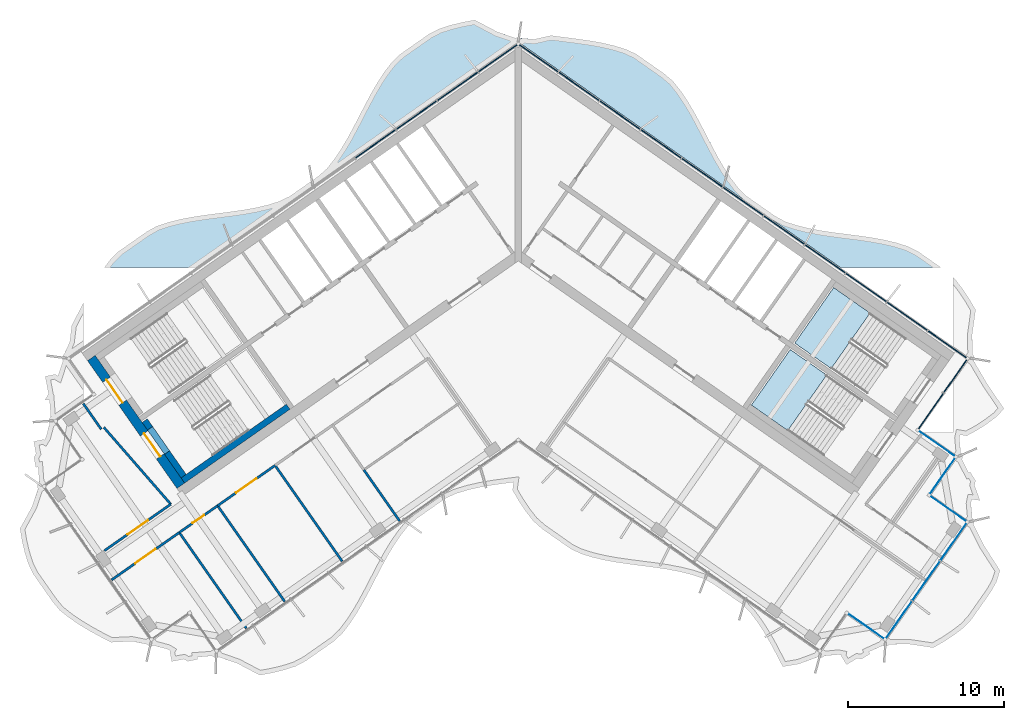
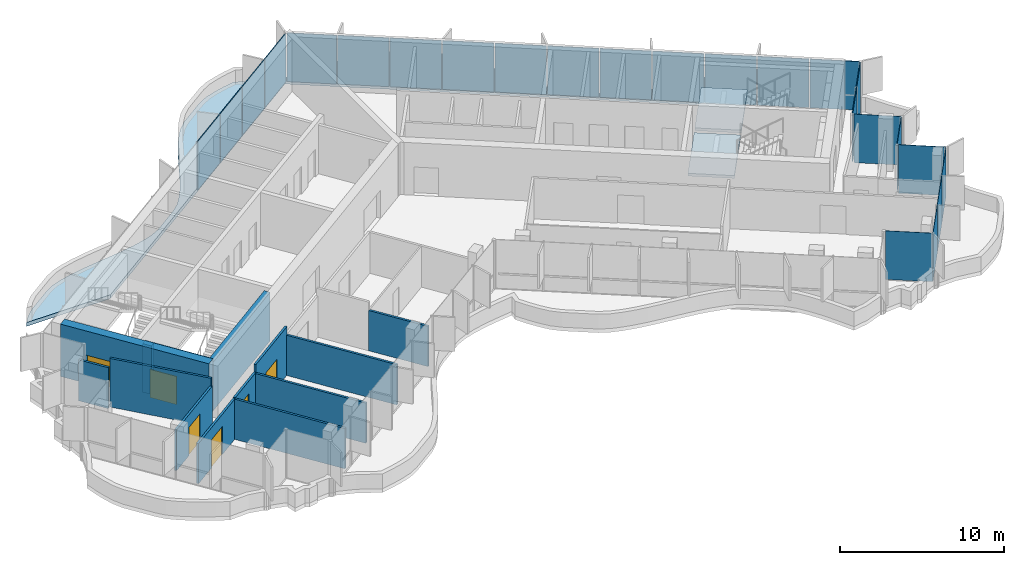
# One storey, part 8 of 18: 24 plates, 15 walls, 6 doors, 3 slabs, 6 openings, 4 elements without a shape of their own.
"""IFC4 building model written with IfcOpenShell, lengths in metres."""

from ifc_helpers import new_model, si_unit, direction, frame, frame_2d, origin, origin_2d, place, context, subcontext, project, spatial, polyline, rectangle, outline, extrude, material, layer, layer_set, type_object, element, fill, aggregate, save


model = new_model("IFC4")

# Units and contexts
model_context = context("Model", 3, precision=1e-05, world=origin(), true_north=direction((0.0, 1.0)))
body_context = subcontext(model_context, "Body", "Model", "MODEL_VIEW")
ifc_project = project(units=[si_unit("LENGTHUNIT", "METRE"), si_unit("AREAUNIT", "SQUARE_METRE"), si_unit("VOLUMEUNIT", "CUBIC_METRE"), si_unit("PLANEANGLEUNIT", "RADIAN"), si_unit("MASSUNIT", "GRAM", prefix="KILO")], contexts=[model_context])

# Site, building, storey
site_placement = place(None, origin())
site = spatial("IfcSite", under=ifc_project, at=site_placement, CompositionType="ELEMENT")
building_placement = place(site_placement, origin())
building = spatial("IfcBuilding", under=site, at=building_placement, Name="Tel Ilan Convention Tower", CompositionType="ELEMENT")
storey_placement = place(building_placement, frame((0.0, 0.0, 299.5)))
storey = spatial("IfcBuildingStorey", under=building, at=storey_placement, Name="L71", CompositionType="ELEMENT", Elevation=299.5)

# Curtain wall, plates
ifc_material_1 = material(Name="Aluminium, bronze anodised", Category="aluminium")
curtain_wall_type_1 = type_object("IfcCurtainWallType", Name="CW2 STICK CURTAIN WALL, SPANDREL PANELS", PredefinedType="NOTDEFINED", material=ifc_material_1)
curtain_wall_1_placement = place(storey_placement, origin())
curtain_wall_1 = element("IfcCurtainWall", 1, at=curtain_wall_1_placement, inside=storey, type_object=curtain_wall_type_1, Name="Curtain wall CW2-54.01", PredefinedType="NOTDEFINED")
ifc_material_2 = material(Name="Aluminium composite panel, bronze anodised", Category="aluminium")
ifc_layer_1 = layer(ifc_material_2, 0.06005859375)
ifc_layer_set_1 = layer_set([ifc_layer_1], Name="CW SPANDREL PANEL 60")
plate_type_1 = type_object("IfcPlateType", Name="CW SPANDREL PANEL 60", PredefinedType="CURTAIN_PANEL", material=ifc_layer_set_1)
plate_1_placement = place(storey_placement, frame((26.45947265625, -10.85400390625, 0.0), z_axis=(0.0, 0.0, 1.0), x_axis=(0.573576436351, 0.819152044289, 0.0)))
plate_1 = element("IfcPlate", 2, at=plate_1_placement, type_object=plate_type_1, Name="Spandrel panel", PredefinedType="CURTAIN_PANEL", context=body_context, shape_type="SweptSolid", body=[
    extrude(rectangle(XDim=2.76904296875, YDim=0.06005859375, at=origin_2d()), origin(), (0.0, 0.0, 1.0), 3.6201171875),
])
plate_2_placement = place(storey_placement, frame((28.042236328125, -8.593505859375, 0.0), z_axis=(0.0, 0.0, 1.0), x_axis=(0.573576436351, 0.819152044289, 0.0)))
plate_2 = element("IfcPlate", 3, at=plate_2_placement, type_object=plate_type_1, Name="Spandrel panel", PredefinedType="CURTAIN_PANEL", context=body_context, shape_type="SweptSolid", body=[
    extrude(rectangle(XDim=2.6298828125, YDim=0.06005859375, at=origin_2d()), origin(), (0.0, 0.0, 1.0), 3.6201171875),
])
plate_3_placement = place(storey_placement, frame((27.5400390625, -6.587646484375, 0.0), z_axis=(0.0, 0.0, 1.0), x_axis=(-0.819152044289, 0.573576436351, 0.0)))
plate_3 = element("IfcPlate", 4, at=plate_3_placement, type_object=plate_type_1, Name="Spandrel panel", PredefinedType="CURTAIN_PANEL", context=body_context, shape_type="SweptSolid", body=[
    extrude(rectangle(XDim=3.0439453125, YDim=0.06005859375, at=origin_2d()), origin(), (0.0, 0.0, 1.0), 3.6201171875),
])
plate_4_placement = place(storey_placement, frame((24.95263671875, -4.77587890625, 0.0), z_axis=(0.0, 0.0, 1.0), x_axis=(-0.819152044289, 0.573576436351, 0.0)))
plate_4 = element("IfcPlate", 5, at=plate_4_placement, type_object=plate_type_1, Name="Spandrel panel", PredefinedType="CURTAIN_PANEL", context=body_context, shape_type="SweptSolid", body=[
    extrude(rectangle(XDim=3.15380859375, YDim=0.06005859375, at=origin_2d()), origin(), (0.0, 0.0, 1.0), 3.6201171875),
])
plate_5_placement = place(storey_placement, frame((22.31982421875, -2.9326171875, 0.0), z_axis=(0.0, 0.0, 1.0), x_axis=(-0.819152044289, 0.573576436351, 0.0)))
plate_5 = element("IfcPlate", 6, at=plate_5_placement, type_object=plate_type_1, Name="Spandrel panel", PredefinedType="CURTAIN_PANEL", context=body_context, shape_type="SweptSolid", body=[
    extrude(rectangle(XDim=3.15380859375, YDim=0.06005859375, at=origin_2d()), origin(), (0.0, 0.0, 1.0), 3.6201171875),
])
plate_6_placement = place(storey_placement, frame((19.687255859375, -1.089111328125, 0.0), z_axis=(0.0, 0.0, 1.0), x_axis=(-0.819152044289, 0.573576436351, 0.0)))
plate_6 = element("IfcPlate", 7, at=plate_6_placement, type_object=plate_type_1, Name="Spandrel panel", PredefinedType="CURTAIN_PANEL", context=body_context, shape_type="SweptSolid", body=[
    extrude(rectangle(XDim=3.15380859375, YDim=0.06005859375, at=origin_2d()), origin(), (0.0, 0.0, 1.0), 3.6201171875),
])
plate_7_placement = place(storey_placement, frame((17.0546875, 0.754150390625, 0.0), z_axis=(0.0, 0.0, 1.0), x_axis=(-0.819152044289, 0.573576436351, 0.0)))
plate_7 = element("IfcPlate", 8, at=plate_7_placement, type_object=plate_type_1, Name="Spandrel panel", PredefinedType="CURTAIN_PANEL", context=body_context, shape_type="SweptSolid", body=[
    extrude(rectangle(XDim=3.15380859375, YDim=0.06005859375, at=origin_2d()), origin(), (0.0, 0.0, 1.0), 3.6201171875),
])
plate_8_placement = place(storey_placement, frame((14.422119140625, 2.59765625, 0.0), z_axis=(0.0, 0.0, 1.0), x_axis=(-0.819152044289, 0.573576436351, 0.0)))
plate_8 = element("IfcPlate", 9, at=plate_8_placement, type_object=plate_type_1, Name="Spandrel panel", PredefinedType="CURTAIN_PANEL", context=body_context, shape_type="SweptSolid", body=[
    extrude(rectangle(XDim=3.15380859375, YDim=0.06005859375, at=origin_2d()), origin(), (0.0, 0.0, 1.0), 3.6201171875),
])
plate_9_placement = place(storey_placement, frame((11.789306640625, 4.44091796875, 0.0), z_axis=(0.0, 0.0, 1.0), x_axis=(-0.819152044289, 0.573576436351, 0.0)))
plate_9 = element("IfcPlate", 10, at=plate_9_placement, type_object=plate_type_1, Name="Spandrel panel", PredefinedType="CURTAIN_PANEL", context=body_context, shape_type="SweptSolid", body=[
    extrude(rectangle(XDim=3.15380859375, YDim=0.06005859375, at=origin_2d()), origin(), (0.0, 0.0, 1.0), 3.6201171875),
])
plate_10_placement = place(storey_placement, frame((9.15673828125, 6.284423828125, 0.0), z_axis=(0.0, 0.0, 1.0), x_axis=(-0.819152044289, 0.573576436351, 0.0)))
plate_10 = element("IfcPlate", 11, at=plate_10_placement, type_object=plate_type_1, Name="Spandrel panel", PredefinedType="CURTAIN_PANEL", context=body_context, shape_type="SweptSolid", body=[
    extrude(rectangle(XDim=3.15380859375, YDim=0.06005859375, at=origin_2d()), origin(), (0.0, 0.0, 1.0), 3.6201171875),
])
plate_11_placement = place(storey_placement, frame((6.524169921875, 8.127685546875, 0.0), z_axis=(0.0, 0.0, 1.0), x_axis=(-0.819152044289, 0.573576436351, 0.0)))
plate_11 = element("IfcPlate", 12, at=plate_11_placement, type_object=plate_type_1, Name="Spandrel panel", PredefinedType="CURTAIN_PANEL", context=body_context, shape_type="SweptSolid", body=[
    extrude(rectangle(XDim=3.15380859375, YDim=0.06005859375, at=origin_2d()), origin(), (0.0, 0.0, 1.0), 3.6201171875),
])
plate_12_placement = place(storey_placement, frame((3.8916015625, 9.97119140625, 0.0), z_axis=(0.0, 0.0, 1.0), x_axis=(-0.819152044289, 0.573576436351, 0.0)))
plate_12 = element("IfcPlate", 13, at=plate_12_placement, type_object=plate_type_1, Name="Spandrel panel", PredefinedType="CURTAIN_PANEL", context=body_context, shape_type="SweptSolid", body=[
    extrude(rectangle(XDim=3.15380859375, YDim=0.06005859375, at=origin_2d()), origin(), (0.0, 0.0, 1.0), 3.6201171875),
])
plate_13_placement = place(storey_placement, frame((1.303955078125, 11.782958984375, 0.0), z_axis=(0.0, 0.0, 1.0), x_axis=(-0.819152044289, 0.573576436351, 0.0)))
plate_13 = element("IfcPlate", 14, at=plate_13_placement, type_object=plate_type_1, Name="Spandrel panel", PredefinedType="CURTAIN_PANEL", context=body_context, shape_type="SweptSolid", body=[
    extrude(rectangle(XDim=3.0439453125, YDim=0.06005859375, at=origin_2d()), origin(), (0.0, 0.0, 1.0), 3.6201171875),
])
plate_14_placement = place(storey_placement, frame((-1.303955078125, 11.782958984375, 0.0), z_axis=(0.0, 0.0, 1.0), x_axis=(-0.819152044289, -0.573576436351, 0.0)))
plate_14 = element("IfcPlate", 15, at=plate_14_placement, type_object=plate_type_1, Name="Spandrel panel", PredefinedType="CURTAIN_PANEL", context=body_context, shape_type="SweptSolid", body=[
    extrude(rectangle(XDim=3.0439453125, YDim=0.06005859375, at=origin_2d()), origin(), (0.0, 0.0, 1.0), 3.6201171875),
])
plate_15_placement = place(storey_placement, frame((-3.8916015625, 9.97119140625, 0.0), z_axis=(0.0, 0.0, 1.0), x_axis=(-0.819152044289, -0.573576436351, 0.0)))
plate_15 = element("IfcPlate", 16, at=plate_15_placement, type_object=plate_type_1, Name="Spandrel panel", PredefinedType="CURTAIN_PANEL", context=body_context, shape_type="SweptSolid", body=[
    extrude(rectangle(XDim=3.15380859375, YDim=0.06005859375, at=origin_2d()), origin(), (0.0, 0.0, 1.0), 3.6201171875),
])
plate_16_placement = place(storey_placement, frame((-6.524169921875, 8.127685546875, 0.0), z_axis=(0.0, 0.0, 1.0), x_axis=(-0.819152044289, -0.573576436351, 0.0)))
plate_16 = element("IfcPlate", 17, at=plate_16_placement, type_object=plate_type_1, Name="Spandrel panel", PredefinedType="CURTAIN_PANEL", context=body_context, shape_type="SweptSolid", body=[
    extrude(rectangle(XDim=3.15380859375, YDim=0.06005859375, at=origin_2d()), origin(), (0.0, 0.0, 1.0), 3.6201171875),
])
plate_17_placement = place(storey_placement, frame((-9.15673828125, 6.284423828125, 0.0), z_axis=(0.0, 0.0, 1.0), x_axis=(-0.819152044289, -0.573576436351, 0.0)))
plate_17 = element("IfcPlate", 18, at=plate_17_placement, type_object=plate_type_1, Name="Spandrel panel", PredefinedType="CURTAIN_PANEL", context=body_context, shape_type="SweptSolid", body=[
    extrude(rectangle(XDim=3.15380859375, YDim=0.06005859375, at=origin_2d()), origin(), (0.0, 0.0, 1.0), 3.6201171875),
])
aggregate(curtain_wall_1, [plate_1, plate_2, plate_3, plate_4, plate_5, plate_6, plate_7, plate_8, plate_9, plate_10, plate_11, plate_12, plate_13, plate_14, plate_15, plate_16, plate_17])

ifc_material_3 = material(Name="Aluminium, bronze anodised", Category="aluminium")
curtain_wall_type_2 = type_object("IfcCurtainWallType", Name="CW5 STICK CURTAIN WALL, UPPER OFFICE LOW-IRON TINTED GLASS", PredefinedType="NOTDEFINED", material=ifc_material_3)
curtain_wall_2_placement = place(storey_placement, origin())
curtain_wall_2 = element("IfcCurtainWall", 19, at=curtain_wall_2_placement, inside=storey, type_object=curtain_wall_type_2, Name="Curtain wall CW5-54.02", PredefinedType="NOTDEFINED")
ifc_material_4 = material(Name="Glass, low-iron bronze tinted, two-ply", Category="glass")
ifc_layer_2 = layer(ifc_material_4, 0.031982421875)
ifc_layer_set_2 = layer_set([ifc_layer_2], Name="CW UPPER GLASS PANEL 32")
plate_type_2 = type_object("IfcPlateType", Name="CW UPPER GLASS PANEL 32", PredefinedType="CURTAIN_PANEL", material=ifc_layer_set_2)
plate_18_placement = place(storey_placement, frame((22.32763671875, -24.667724609375, 0.0), z_axis=(0.0, 0.0, 1.0), x_axis=(0.819152044289, -0.573576436351, 0.0)))
plate_18 = element("IfcPlate", 20, at=plate_18_placement, type_object=plate_type_2, Name="Glass panel", PredefinedType="CURTAIN_PANEL", context=body_context, shape_type="SweptSolid", body=[
    extrude(rectangle(XDim=2.875, YDim=0.028076171875, at=origin_2d()), origin(), (0.0, 0.0, 1.0), 3.6201171875),
])
plate_19_placement = place(storey_placement, frame((24.39306640625, -24.26611328125, 0.0), z_axis=(0.0, 0.0, 1.0), x_axis=(0.573576436351, 0.819152044289, 0.0)))
plate_19 = element("IfcPlate", 21, at=plate_19_placement, type_object=plate_type_2, Name="Glass panel", PredefinedType="CURTAIN_PANEL", context=body_context, shape_type="SweptSolid", body=[
    extrude(rectangle(XDim=2.979248046875, YDim=0.028076171875, at=origin_2d()), origin(), (0.0, 0.0, 1.0), 3.6201171875),
])
plate_20_placement = place(storey_placement, frame((26.163330078125, -21.73779296875, 0.0), z_axis=(0.0, 0.0, 1.0), x_axis=(0.573576436351, 0.819152044289, 0.0)))
plate_20 = element("IfcPlate", 22, at=plate_20_placement, type_object=plate_type_2, Name="Glass panel", PredefinedType="CURTAIN_PANEL", context=body_context, shape_type="SweptSolid", body=[
    extrude(rectangle(XDim=3.0732421875, YDim=0.028076171875, at=origin_2d()), origin(), (0.0, 0.0, 1.0), 3.6201171875),
])
plate_21_placement = place(storey_placement, frame((27.93359375, -19.209716796875, 0.0), z_axis=(0.0, 0.0, 1.0), x_axis=(0.573576436351, 0.819152044289, 0.0)))
plate_21 = element("IfcPlate", 23, at=plate_21_placement, type_object=plate_type_2, Name="Glass panel", PredefinedType="CURTAIN_PANEL", context=body_context, shape_type="SweptSolid", body=[
    extrude(rectangle(XDim=2.979248046875, YDim=0.028076171875, at=origin_2d()), origin(), (0.0, 0.0, 1.0), 3.6201171875),
])
plate_22_placement = place(storey_placement, frame((27.6044921875, -17.131591796875, 0.0), z_axis=(0.0, 0.0, 1.0), x_axis=(-0.819152044289, 0.573576436351, 0.0)))
plate_22 = element("IfcPlate", 24, at=plate_22_placement, type_object=plate_type_2, Name="Glass panel", PredefinedType="CURTAIN_PANEL", context=body_context, shape_type="SweptSolid", body=[
    extrude(rectangle(XDim=2.875, YDim=0.028076171875, at=origin_2d()), origin(), (0.0, 0.0, 1.0), 3.6201171875),
])
plate_23_placement = place(storey_placement, frame((27.2265625, -14.98876953125, 0.0), z_axis=(0.0, 0.0, 1.0), x_axis=(0.573576436351, 0.819152044289, 0.0)))
plate_23 = element("IfcPlate", 25, at=plate_23_placement, type_object=plate_type_2, Name="Glass panel", PredefinedType="CURTAIN_PANEL", context=body_context, shape_type="SweptSolid", body=[
    extrude(rectangle(XDim=2.875, YDim=0.028076171875, at=origin_2d()), origin(), (0.0, 0.0, 1.0), 3.6201171875),
])
plate_24_placement = place(storey_placement, frame((26.86767578125, -12.953369140625, 0.0), z_axis=(0.0, 0.0, 1.0), x_axis=(-0.819152044289, 0.573576436351, 0.0)))
plate_24 = element("IfcPlate", 26, at=plate_24_placement, type_object=plate_type_2, Name="Glass panel", PredefinedType="CURTAIN_PANEL", context=body_context, shape_type="SweptSolid", body=[
    extrude(rectangle(XDim=2.875, YDim=0.028076171875, at=origin_2d()), origin(), (0.0, 0.0, 1.0), 3.6201171875),
])
aggregate(curtain_wall_2, [plate_18, plate_19, plate_20, plate_21, plate_22, plate_23, plate_24])

# Stair, slab
ifc_material_5 = material(Name="Concrete C40/50", Category="concrete")
stair_type = type_object("IfcStairType", Name="Pressurised Exit Stair 22 risers 177 mm", PredefinedType="HALF_TURN_STAIR", material=ifc_material_5)
stair_1_placement = place(storey_placement, origin())
stair_1 = element("IfcStair", 27, at=stair_1_placement, inside=storey, type_object=stair_type, Name="L71 Pressurised Stair S3", PredefinedType="HALF_TURN_STAIR")
ifc_material_6 = material(Name="Concrete C40/50", Category="concrete")
ifc_layer_3 = layer(ifc_material_6, 0.199951171875)
ifc_layer_set_3 = layer_set([ifc_layer_3], Name="Concrete Stair Landing 200 mm C40/50")
slab_type_1 = type_object("IfcSlabType", Name="Concrete Stair Landing 200 mm", PredefinedType="LANDING", material=ifc_layer_set_3)
slab_1_placement = place(storey_placement, frame((0.0, 0.0, 1.75)))
slab_1 = element("IfcSlab", 28, at=slab_1_placement, type_object=slab_type_1, Name="S3 landing 1", PredefinedType="LANDING", context=body_context, shape_type="SweptSolid", body=[
    extrude(outline(polyline([(22.561767578125, -4.566650390625), (20.226318359375, -2.931640625), (17.7314453125, -6.494873046875), (20.066650390625, -8.130126953125), (22.561767578125, -4.566650390625)])), origin(), (0.0, 0.0, 1.0), 0.199951171875),
])
aggregate(stair_1, [slab_1])

stair_2_placement = place(storey_placement, origin())
stair_2 = element("IfcStair", 29, at=stair_2_placement, inside=storey, type_object=stair_type, Name="L71 Pressurised Stair S4", PredefinedType="HALF_TURN_STAIR")
slab_2_placement = place(storey_placement, frame((0.0, 0.0, 1.75)))
slab_2 = element("IfcSlab", 30, at=slab_2_placement, type_object=slab_type_1, Name="S4 landing 1", PredefinedType="LANDING", context=body_context, shape_type="SweptSolid", body=[
    extrude(outline(polyline([(19.77978515625, -8.53955078125), (17.444580078125, -6.904541015625), (14.949462890625, -10.4677734375), (17.28466796875, -12.10302734375), (19.77978515625, -8.53955078125)])), origin(), (0.0, 0.0, 1.0), 0.199951171875),
])
aggregate(stair_2, [slab_2])

# Slab
ifc_material_7 = material(Name="Concrete C40/50", Category="concrete")
ifc_layer_4 = layer(ifc_material_7, 0.280029296875)
ifc_layer_set_4 = layer_set([ifc_layer_4], Name="Edge Ledge Slab 280 mm C40/50")
slab_type_2 = type_object("IfcSlabType", Name="Edge Ledge Slab 280 mm C40/50", PredefinedType="FLOOR", material=ifc_layer_set_4)
slab_3_placement = place(storey_placement, frame((0.0, 0.0, -0.280029296875)))
element("IfcSlab", 31, at=slab_3_placement, inside=storey, type_object=slab_type_2, Name="L71 edge ledge 2", PredefinedType="FLOOR", context=body_context, shape_type="SweptSolid", body=[
    extrude(outline(polyline([(-23.1982421875, 1.006591796875), (-22.4697265625, 1.250244140625), (-21.705322265625, 1.44287109375), (-20.91259765625, 1.594482421875), (-20.099365234375, 1.71728515625), (-19.275146484375, 1.824462890625), (-18.44970703125, 1.9296875), (-17.6328125, 2.047119140625), (-16.833984375, 2.18994140625), (-16.0615234375, 2.37109375), (-15.3232421875, 2.6005859375), (-14.651611328125, 2.92529296875), (-12.841552734375, 4.192626953125), (-12.284912109375, 4.681640625), (-11.809326171875, 5.28662109375), (-11.369140625, 5.94189453125), (-10.956787109375, 6.63720703125), (-10.564453125, 7.36083984375), (-10.182373046875, 8.09912109375), (-9.80078125, 8.83837890625), (-9.410400390625, 9.564697265625), (-9.001220703125, 10.264404296875), (-8.56494140625, 10.925537109375), (-8.094482421875, 11.53759765625), (-7.552001953125, 12.047119140625), (-5.7421875, 13.314208984375), (-5.0849609375, 13.66015625), (-4.3515625, 13.896484375), (-3.5830078125, 14.083251953125), (-2.785888671875, 14.228515625), (-1.357666015625, 13.472900390625), (-0.172119140625, 13.06396484375), (-0.168701171875, 13.05908203125), (-0.11474609375, 13.09521484375), (0.0, 13.1181640625), (0.11474609375, 13.09521484375), (0.168701171875, 13.05908203125), (0.172119140625, 13.06396484375), (1.02001953125, 12.99072265625), (2.08935546875, 13.234130859375), (2.913818359375, 13.12744140625), (3.739501953125, 13.0224609375), (4.55712890625, 12.90625), (5.357666015625, 12.765380859375), (6.132080078125, 12.587158203125), (6.872802734375, 12.361083984375), (7.552001953125, 12.047119140625), (9.36181640625, 10.77978515625), (9.925537109375, 10.300537109375), (10.403564453125, 9.69921875), (10.845947265625, 9.046875), (11.259521484375, 8.353515625), (11.653076171875, 7.631591796875), (12.035400390625, 6.893798828125), (12.416748046875, 6.154052734375), (12.806396484375, 5.426513671875), (13.214111328125, 4.724609375), (13.648193359375, 4.060791015625), (14.116455078125, 3.4453125), (14.651611328125, 2.92529296875), (16.46142578125, 1.657958984375), (17.111328125, 1.30224609375), (17.84228515625, 1.062255859375), (18.60888671875, 0.87255859375), (19.4033203125, 0.72314453125), (20.21728515625, 0.601806640625), (21.0419921875, 0.495361328125), (21.8671875, 0.3896484375), (22.68310546875, 0.27099609375), (23.480712890625, 0.1259765625), (24.2509765625, -0.057861328125), (24.987060546875, -0.290771484375), (25.6513671875, -0.626220703125), (27.087158203125, -1.631591796875), (20.63623046875, -1.631591796875), (0.0, 12.818115234375), (-20.63623046875, -1.631591796875), (-26.535888671875, -1.631591796875), (-26.1787109375, -1.156982421875), (-25.6513671875, -0.626220703125), (-23.84130859375, 0.64111328125), (-23.1982421875, 1.006591796875)])), origin(), (0.0, 0.0, 1.0), 0.280029296875),
])

# Wall, openings, doors
ifc_material_8 = material(Name="Concrete C40/50", Category="concrete")
ifc_layer_5 = layer(ifc_material_8, 0.60009765625)
ifc_layer_set_5 = layer_set([ifc_layer_5], Name="Core Shear Wall 600 mm C40/50")
wall_type_1 = type_object("IfcWallType", Name="Core Shear Wall 600 mm C40/50", PredefinedType="SHEAR", material=ifc_layer_set_5)
wall_1_placement = place(storey_placement, frame((-21.641845703125, -15.64208984375, 0.0), z_axis=(0.0, 0.0, 1.0), x_axis=(-0.573586866468, 0.819144740944, 0.0)))
wall_1 = element("IfcWall", 32, at=wall_1_placement, inside=storey, type_object=wall_type_1, Name="L71 core wall W-end", PredefinedType="SHEAR", context=body_context, shape_type="SweptSolid", body=[
    extrude(outline(polyline([(0.0, 0.300048828125), (0.0, -0.2998046875), (10.0, -0.300048828125), (10.0, 0.300048828125), (0.0, 0.300048828125)])), origin(), (0.0, 0.0, 1.0), 3.89990234375),
])
opening_1_placement = place(wall_1_placement, frame((6.5, 0.0, 0.0)))
opening_1 = element("IfcOpeningElement", 33, at=opening_1_placement, cuts=wall_1, Name="Opening SD5401", PredefinedType="OPENING", context=body_context, shape_type="SweptSolid", body=[
    extrude(rectangle(XDim=1.800048828125, YDim=2.10009765625, at=frame_2d((0.89990234375, 1.050048828125))), frame((0.0, 0.31005859375, 0.0), z_axis=(0.0, -1.0, 0.0), x_axis=(1.0, 0.0, 0.0)), (0.0, 0.0, 1.0), 0.6201171875),
])
opening_2_placement = place(wall_1_placement, frame((2.300048828125, 0.0, 0.0)))
opening_2 = element("IfcOpeningElement", 34, at=opening_2_placement, cuts=wall_1, Name="Opening SD5402", PredefinedType="OPENING", context=body_context, shape_type="SweptSolid", body=[
    extrude(rectangle(XDim=1.800048828125, YDim=2.10009765625, at=frame_2d((0.89990234375, 1.050048828125))), frame((0.0, 0.31005859375, 0.0), z_axis=(0.0, -1.0, 0.0), x_axis=(1.0, 0.0, 0.0)), (0.0, 0.0, 1.0), 0.6201171875),
])
ifc_material_9 = material(Name="Galvanised Steel Door Leaf", Category="steel")
door_type_1 = type_object("IfcDoorType", Name="Stair Fire Door 1800 x 2100 FD60S", OperationType="NOTDEFINED", PredefinedType="DOOR", material=ifc_material_9)
door_1_placement = place(opening_1_placement, origin())
door_1 = element("IfcDoor", 35, at=door_1_placement, inside=storey, type_object=door_type_1, Name="Stair S1 door", OperationType="DOUBLE_DOOR_SINGLE_SWING", OverallHeight=2.10009765625, OverallWidth=1.800048828125, PredefinedType="DOOR", context=body_context, shape_type="SweptSolid", body=[
    extrude(rectangle(XDim=1.800048828125, YDim=2.10009765625, at=frame_2d((0.89990234375, 1.050048828125))), frame((0.0, 0.02490234375, 0.0), z_axis=(0.0, -1.0, 0.0), x_axis=(1.0, 0.0, 0.0)), (0.0, 0.0, 1.0), 0.050048828125),
])
fill(opening_1, door_1)
door_2_placement = place(opening_2_placement, origin())
door_2 = element("IfcDoor", 36, at=door_2_placement, inside=storey, type_object=door_type_1, Name="Stair S2 door", OperationType="DOUBLE_DOOR_SINGLE_SWING", OverallHeight=2.10009765625, OverallWidth=1.800048828125, PredefinedType="DOOR", context=body_context, shape_type="SweptSolid", body=[
    extrude(rectangle(XDim=1.800048828125, YDim=2.10009765625, at=frame_2d((0.89990234375, 1.050048828125))), frame((0.0, 0.02490234375, 0.0), z_axis=(0.0, -1.0, 0.0), x_axis=(1.0, 0.0, 0.0)), (0.0, 0.0, 1.0), 0.050048828125),
])
fill(opening_2, door_2)

# Wall, opening, door
ifc_material_10 = material(Name="Plasterboard on Steel Studs", Category="steel")
ifc_layer_6 = layer(ifc_material_10, 0.14990234375)
ifc_layer_set_6 = layer_set([ifc_layer_6], Name="Fire-rated Partition 150 EI 60")
wall_type_2 = type_object("IfcWallType", Name="Fire-rated Partition 150 EI 60", PredefinedType="PARTITIONING", material=ifc_layer_set_6)
wall_2_placement = place(storey_placement, frame((-26.540283203125, -19.804443359375, 0.0), z_axis=(0.0, 0.0, 1.0), x_axis=(0.819163496387, 0.573560080713, 0.0)))
wall_2 = element("IfcWall", 37, at=wall_2_placement, inside=storey, type_object=wall_type_2, Name="Partition 005", PredefinedType="PARTITIONING", context=body_context, shape_type="SweptSolid", body=[
    extrude(rectangle(XDim=5.19677734375, YDim=0.14990234375, at=frame_2d((2.598388671875, 0.0))), origin(), (0.0, 0.0, 1.0), 3.050048828125),
])
opening_3_placement = place(wall_2_placement, frame((1.798583984375, 0.0, 0.0)))
opening_3 = element("IfcOpeningElement", 38, at=opening_3_placement, cuts=wall_2, Name="Opening L71-007", PredefinedType="OPENING", context=body_context, shape_type="SweptSolid", body=[
    extrude(rectangle(XDim=1.60009765625, YDim=2.10009765625, at=frame_2d((0.800048828125, 1.050048828125))), frame((0.0, 0.0849609375, 0.0), z_axis=(0.0, -1.0, 0.0), x_axis=(1.0, 0.0, 0.0)), (0.0, 0.0, 1.0), 0.169921875),
])
ifc_material_11 = material(Name="Timber Door Leaf in Steel Frame", Category="steel")
door_type_2 = type_object("IfcDoorType", Name="Tenant Suite Entrance Fire Door 1600x2100", OperationType="NOTDEFINED", PredefinedType="DOOR", material=ifc_material_11)
door_3_placement = place(opening_3_placement, origin())
door_3 = element("IfcDoor", 39, at=door_3_placement, inside=storey, type_object=door_type_2, Name="Door L71-007", OperationType="DOUBLE_DOOR_SINGLE_SWING", OverallHeight=2.10009765625, OverallWidth=1.60009765625, PredefinedType="DOOR", context=body_context, shape_type="SweptSolid", body=[
    extrude(rectangle(XDim=1.60009765625, YDim=2.10009765625, at=frame_2d((0.800048828125, 1.050048828125))), frame((0.0, 0.02490234375, 0.0), z_axis=(0.0, -1.0, 0.0), x_axis=(1.0, 0.0, 0.0)), (0.0, 0.0, 1.0), 0.050048828125),
])
fill(opening_3, door_3)

wall_3_placement = place(storey_placement, frame((-15.594482421875, -14.337646484375, 0.0), z_axis=(0.0, 0.0, 1.0), x_axis=(-0.819165703328, -0.573556928727, 0.0)))
wall_3 = element("IfcWall", 40, at=wall_3_placement, inside=storey, type_object=wall_type_2, Name="Partition 008", PredefinedType="PARTITIONING", context=body_context, shape_type="SweptSolid", body=[
    extrude(rectangle(XDim=4.50390625, YDim=0.14990234375, at=frame_2d((2.251953125, 0.0))), origin(), (0.0, 0.0, 1.0), 3.6201171875),
])
opening_4_placement = place(wall_3_placement, frame((1.451904296875, 0.0, 0.0)))
opening_4 = element("IfcOpeningElement", 41, at=opening_4_placement, cuts=wall_3, Name="Opening L71-004", PredefinedType="OPENING", context=body_context, shape_type="SweptSolid", body=[
    extrude(rectangle(XDim=1.60009765625, YDim=2.10009765625, at=frame_2d((0.800048828125, 1.050048828125))), frame((0.0, 0.0849609375, 0.0), z_axis=(0.0, -1.0, 0.0), x_axis=(1.0, 0.0, 0.0)), (0.0, 0.0, 1.0), 0.169921875),
])
door_4_placement = place(opening_4_placement, origin())
door_4 = element("IfcDoor", 42, at=door_4_placement, inside=storey, type_object=door_type_2, Name="Door L71-004", OperationType="DOUBLE_DOOR_SINGLE_SWING", OverallHeight=2.10009765625, OverallWidth=1.60009765625, PredefinedType="DOOR", context=body_context, shape_type="SweptSolid", body=[
    extrude(rectangle(XDim=1.60009765625, YDim=2.10009765625, at=frame_2d((0.800048828125, 1.050048828125))), frame((0.0, 0.02490234375, 0.0), z_axis=(0.0, -1.0, 0.0), x_axis=(1.0, 0.0, 0.0)), (0.0, 0.0, 1.0), 0.050048828125),
])
fill(opening_4, door_4)

wall_4_placement = place(storey_placement, frame((-19.28076171875, -16.918701171875, 0.0), z_axis=(0.0, 0.0, 1.0), x_axis=(-0.81916700466, -0.573555070134, 0.0)))
wall_4 = element("IfcWall", 43, at=wall_4_placement, inside=storey, type_object=wall_type_2, Name="Partition 009", PredefinedType="PARTITIONING", context=body_context, shape_type="SweptSolid", body=[
    extrude(rectangle(XDim=3.00390625, YDim=0.14990234375, at=frame_2d((1.501953125, 0.0))), origin(), (0.0, 0.0, 1.0), 3.050048828125),
])
opening_5_placement = place(wall_4_placement, frame((1.052001953125, 0.0, 0.0)))
opening_5 = element("IfcOpeningElement", 44, at=opening_5_placement, cuts=wall_4, Name="Opening L71-005", PredefinedType="OPENING", context=body_context, shape_type="SweptSolid", body=[
    extrude(rectangle(XDim=0.89990234375, YDim=2.10009765625, at=frame_2d((0.449951171875, 1.050048828125))), frame((0.0, 0.0849609375, 0.0), z_axis=(0.0, -1.0, 0.0), x_axis=(1.0, 0.0, 0.0)), (0.0, 0.0, 1.0), 0.169921875),
])
ifc_material_12 = material(Name="Timber Door Leaf in Steel Frame", Category="steel")
door_type_3 = type_object("IfcDoorType", Name="Room Fire Door 900x2100", OperationType="NOTDEFINED", PredefinedType="DOOR", material=ifc_material_12)
door_5_placement = place(opening_5_placement, origin())
door_5 = element("IfcDoor", 45, at=door_5_placement, inside=storey, type_object=door_type_3, Name="Door L71-005", OperationType="SINGLE_SWING_RIGHT", OverallHeight=2.10009765625, OverallWidth=0.89990234375, PredefinedType="DOOR", context=body_context, shape_type="SweptSolid", body=[
    extrude(rectangle(XDim=0.89990234375, YDim=2.10009765625, at=frame_2d((0.449951171875, 1.050048828125))), frame((0.0, 0.02490234375, 0.0), z_axis=(0.0, -1.0, 0.0), x_axis=(1.0, 0.0, 0.0)), (0.0, 0.0, 1.0), 0.050048828125),
])
fill(opening_5, door_5)

wall_5_placement = place(storey_placement, frame((-21.73828125, -18.639404296875, 0.0), z_axis=(0.0, 0.0, 1.0), x_axis=(-0.81915186898, -0.573576686718, 0.0)))
wall_5 = element("IfcWall", 46, at=wall_5_placement, inside=storey, type_object=wall_type_2, Name="Partition 010", PredefinedType="PARTITIONING", context=body_context, shape_type="SweptSolid", body=[
    extrude(rectangle(XDim=5.3017578125, YDim=0.14990234375, at=frame_2d((2.65087890625, 0.0))), origin(), (0.0, 0.0, 1.0), 3.0),
])
opening_6_placement = place(wall_5_placement, frame((1.85107421875, 0.0, 0.0)))
opening_6 = element("IfcOpeningElement", 47, at=opening_6_placement, cuts=wall_5, Name="Opening L71-006", PredefinedType="OPENING", context=body_context, shape_type="SweptSolid", body=[
    extrude(rectangle(XDim=1.60009765625, YDim=2.10009765625, at=frame_2d((0.800048828125, 1.050048828125))), frame((0.0, 0.0849609375, 0.0), z_axis=(0.0, -1.0, 0.0), x_axis=(1.0, 0.0, 0.0)), (0.0, 0.0, 1.0), 0.169921875),
])
door_6_placement = place(opening_6_placement, origin())
door_6 = element("IfcDoor", 48, at=door_6_placement, inside=storey, type_object=door_type_2, Name="Door L71-006", OperationType="DOUBLE_DOOR_SINGLE_SWING", OverallHeight=2.10009765625, OverallWidth=1.60009765625, PredefinedType="DOOR", context=body_context, shape_type="SweptSolid", body=[
    extrude(rectangle(XDim=1.60009765625, YDim=2.10009765625, at=frame_2d((0.800048828125, 1.050048828125))), frame((0.0, 0.02490234375, 0.0), z_axis=(0.0, -1.0, 0.0), x_axis=(1.0, 0.0, 0.0)), (0.0, 0.0, 1.0), 0.050048828125),
])
fill(opening_6, door_6)

# Walls
wall_6_placement = place(storey_placement, frame((-26.74609375, -12.013671875, 0.0), z_axis=(0.0, 0.0, 1.0), x_axis=(-0.573568836472, 0.819157365729, 0.0)))
element("IfcWall", 49, at=wall_6_placement, inside=storey, type_object=wall_type_2, Name="Partition 020", PredefinedType="PARTITIONING", context=body_context, shape_type="SweptSolid", body=[
    extrude(rectangle(XDim=2.000244140625, YDim=0.14990234375, at=frame_2d((1.0, 0.0))), origin(), (0.0, 0.0, 1.0), 3.050048828125),
])
wall_7_placement = place(storey_placement, frame((-22.28369140625, -16.826416015625, 0.0), z_axis=(0.0, 0.0, 1.0), x_axis=(-0.656758142177, 0.754101281449, 0.0)))
element("IfcWall", 50, at=wall_7_placement, inside=storey, type_object=wall_type_2, Name="Partition 021", PredefinedType="PARTITIONING", context=body_context, shape_type="SweptSolid", body=[
    extrude(rectangle(XDim=6.53857421875, YDim=0.14990234375, at=frame_2d((3.269287109375, 0.0))), origin(), (0.0, 0.0, 1.0), 3.6201171875),
])
wall_8_placement = place(storey_placement, frame((-7.608154296875, -17.9013671875, 0.0), z_axis=(0.0, 0.0, 1.0), x_axis=(-0.573560675104, 0.819163080207, 0.0)))
element("IfcWall", 51, at=wall_8_placement, inside=storey, type_object=wall_type_2, Name="Partition 023", PredefinedType="PARTITIONING", context=body_context, shape_type="SweptSolid", body=[
    extrude(rectangle(XDim=3.9990234375, YDim=0.14990234375, at=frame_2d((1.99951171875, 0.0))), origin(), (0.0, 0.0, 1.0), 3.0),
])
for number, where, z_axis, x_axis, name in (
    (52, (-11.29443359375, -20.482421875, 0.0), (0.0, 0.0, 1.0), (-0.573560650686, 0.819163097304, 0.0), "Partition 025"),
    (53, (-14.98046875, -23.0634765625, 0.0), (0.0, 0.0, 1.0), (-0.573597787563, 0.819137093595, 0.0), "Partition 026"),
    (54, (-17.43798828125, -24.7841796875, 0.0), (0.0, 0.0, 1.0), (-0.573575945067, 0.81915238829, 0.0), "Partition 027"),
):
    element("IfcWall", number, at=place(storey_placement, frame(where, z_axis=z_axis, x_axis=x_axis)), inside=storey, type_object=wall_type_2, Name=name, PredefinedType="PARTITIONING", context=body_context, shape_type="SweptSolid", body=[
        extrude(rectangle(XDim=7.5, YDim=0.14990234375, at=frame_2d((3.75, 0.0))), origin(), (0.0, 0.0, 1.0), 3.0),
    ])
ifc_material_13 = material(Name="Concrete C30/37", Category="concrete")
ifc_layer_7 = layer(ifc_material_13, 0.39990234375)
ifc_layer_set_7 = layer_set([ifc_layer_7], Name="Stair and Shaft Lining Wall 400 mm C30/37")
wall_type_3 = type_object("IfcWallType", Name="Stair and Shaft Lining Wall 400 mm C30/37", PredefinedType="SOLIDWALL", material=ifc_layer_set_7)
wall_9_placement = place(storey_placement, frame((-14.7529296875, -10.57421875, 0.0), z_axis=(0.0, 0.0, 1.0), x_axis=(-0.819158229677, -0.573567602601, 0.0)))
element("IfcWall", 55, at=wall_9_placement, inside=storey, type_object=wall_type_3, Name="L71 core wall lining-S2-t0", PredefinedType="SOLIDWALL", context=body_context, shape_type="SweptSolid", body=[
    extrude(rectangle(XDim=8.25, YDim=0.39990234375, at=frame_2d((4.125, 0.0))), origin(), (0.0, 0.0, 1.0), 3.6201171875),
])
wall_10_placement = place(storey_placement, frame((-21.4619140625, -15.027587890625, 0.0), z_axis=(0.0, 0.0, 1.0), x_axis=(-0.573559770908, 0.819163713305, 0.0)))
element("IfcWall", 56, at=wall_10_placement, inside=storey, type_object=wall_type_3, Name="L71 core wall lining-S2-u1-0", PredefinedType="SOLIDWALL", context=body_context, shape_type="SweptSolid", body=[
    extrude(rectangle(XDim=1.849853515625, YDim=0.39990234375, at=frame_2d((0.9248046875, 0.0))), origin(), (0.0, 0.0, 1.0), 3.6201171875),
])
wall_11_placement = place(storey_placement, frame((-23.61279296875, -11.955810546875, 0.0), z_axis=(0.0, 0.0, 1.0), x_axis=(-0.573435029941, 0.819251039936, 0.0)))
element("IfcWall", 57, at=wall_11_placement, inside=storey, type_object=wall_type_3, Name="L71 core wall lining-S2-u1-1", PredefinedType="SOLIDWALL", context=body_context, shape_type="SweptSolid", body=[
    extrude(rectangle(XDim=0.599853515625, YDim=0.39990234375, at=frame_2d((0.2998046875, 0.0))), origin(), (0.0, 0.0, 1.0), 3.6201171875),
])
wall_12_placement = place(storey_placement, frame((-22.52294921875, -13.51220703125, 2.14990234375), z_axis=(0.0, 0.0, 1.0), x_axis=(-0.573591692345, 0.819141361715, 0.0)))
element("IfcWall", 58, at=wall_12_placement, inside=storey, type_object=wall_type_3, Name="L71 core wall lining-S2-u1-lintel", PredefinedType="SOLIDWALL", context=body_context, shape_type="SweptSolid", body=[
    extrude(rectangle(XDim=1.900146484375, YDim=0.39990234375, at=frame_2d((0.9501953125, 0.0))), origin(), (0.0, 0.0, 1.0), 1.47021484375),
])

save(model, "model.ifc")
